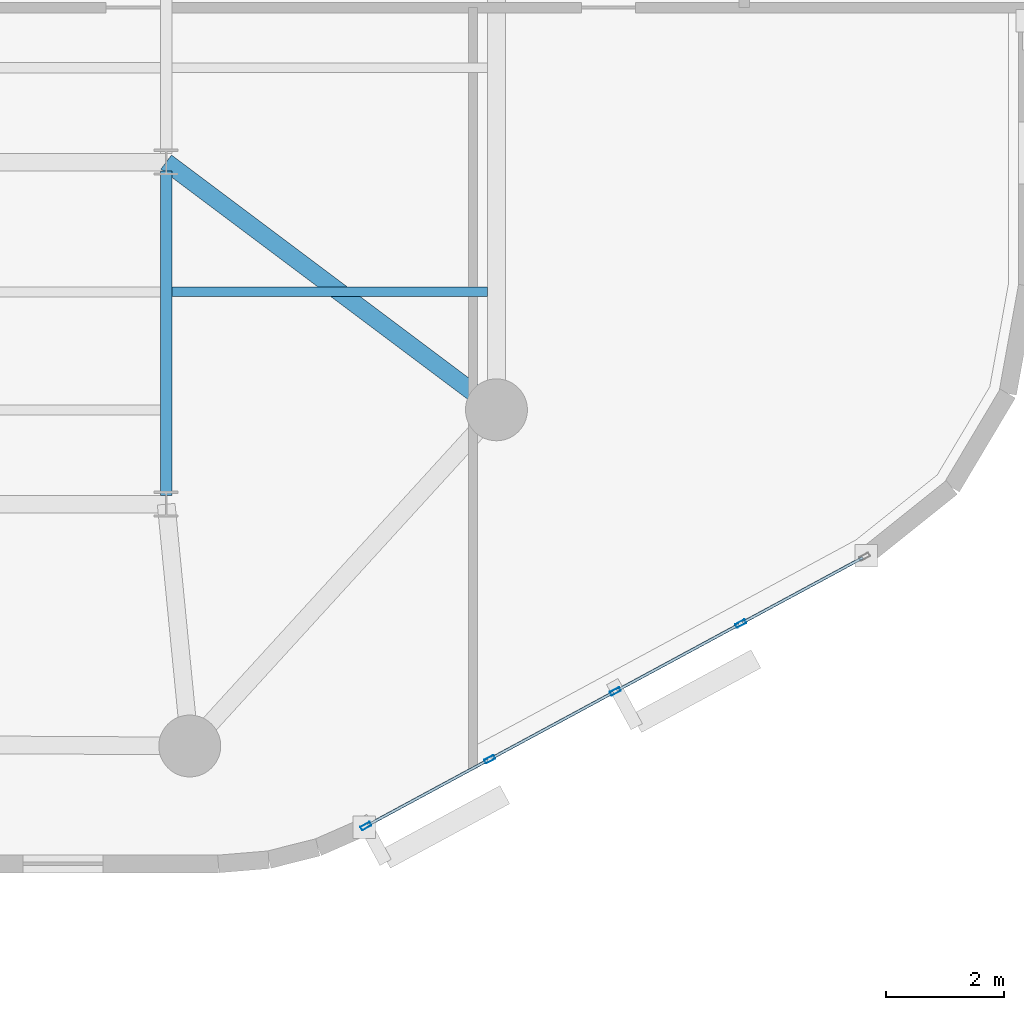
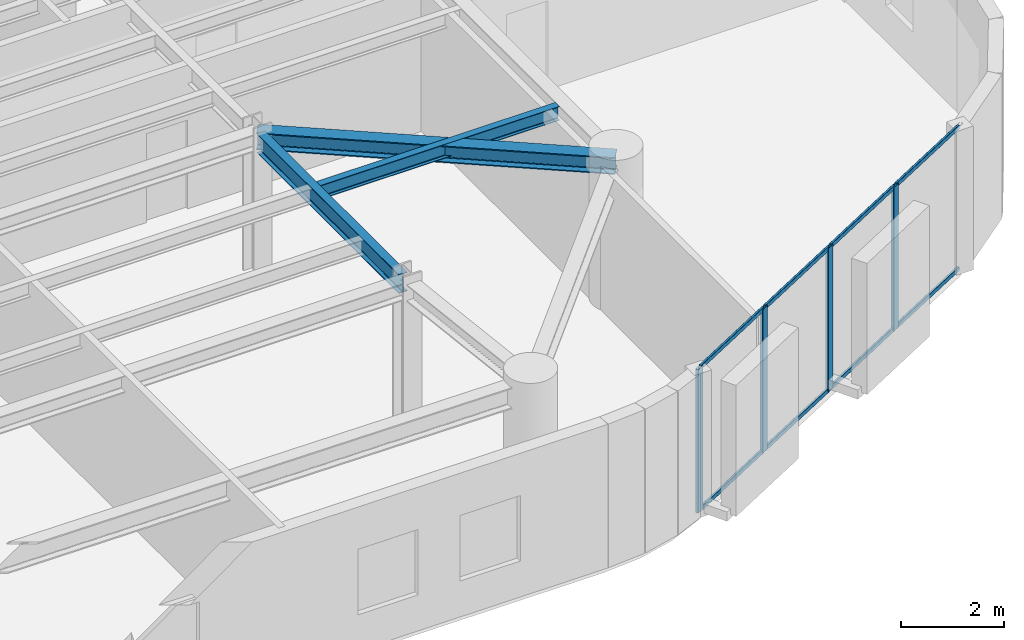
# One storey, part 2 of 15: 12 members, 3 beams, 1 element without a shape of its own.
"""IFC4 building model written with IfcOpenShell, lengths in metres."""

from ifc_helpers import new_model, si_unit, direction, frame, origin, origin_2d, place, context, subcontext, project, spatial, hollow_rectangle, i_section, extrude, material, layer, layer_set, material_profile, profile_set, type_object, element, aggregate, save


model = new_model("IFC4")

# Units and contexts
model_context = context("Model", 3, precision=1e-05, world=origin(), true_north=direction((0.0, 1.0)))
body_context = subcontext(model_context, "Body", "Model", "MODEL_VIEW")
ifc_project = project(units=[si_unit("LENGTHUNIT", "METRE"), si_unit("AREAUNIT", "SQUARE_METRE"), si_unit("VOLUMEUNIT", "CUBIC_METRE"), si_unit("PLANEANGLEUNIT", "RADIAN"), si_unit("MASSUNIT", "GRAM", prefix="KILO")], contexts=[model_context])

# Site, building, storey
site_placement = place(None, origin())
site = spatial("IfcSite", under=ifc_project, at=site_placement, CompositionType="ELEMENT")
building_placement = place(site_placement, origin())
building = spatial("IfcBuilding", under=site, at=building_placement, Name="An Khanh Terracotta Commons", CompositionType="ELEMENT")
storey_placement = place(building_placement, frame((0.0, 0.0, 208.5)))
storey = spatial("IfcBuildingStorey", under=building, at=storey_placement, Name="L54", CompositionType="ELEMENT", Elevation=208.5)

# Beams
ifc_material_1 = material(Name="Steel S355J2", Category="steel")
ifc_material_profile_1 = material_profile(ifc_material_1, i_section(OverallWidth=0.300048828125, OverallDepth=0.39990234375, WebThickness=0.013427734375, FlangeThickness=0.02392578125, FilletRadius=0.027099609375, at=origin_2d()), Name="HEB400")
ifc_profile_set_1 = profile_set([ifc_material_profile_1], Name="Steel S355J2")
beam_type_1 = type_object("IfcBeamType", Name="BM-HEB400", PredefinedType="BEAM", material=ifc_profile_set_1)
beam_1_placement = place(storey_placement, frame((59.60009765625, 16.0, 3.199951171875), z_axis=(-0.800008370399, 0.599988839305, 0.0), x_axis=(-0.599988839305, -0.800008370399, 0.0)))
element("IfcBeam", 1, at=beam_1_placement, inside=storey, type_object=beam_type_1, Name="L54 Mega-Column Tie Girder 3", PredefinedType="BEAM", context=body_context, shape_type="SweptSolid", body=[
    extrude(i_section(OverallWidth=0.300048828125, OverallDepth=0.39990234375, WebThickness=0.013427734375, FlangeThickness=0.02392578125, FilletRadius=0.027099609375, at=origin_2d()), origin(), (0.0, 0.0, 1.0), 7.0),
])
ifc_material_profile_2 = material_profile(ifc_material_1, i_section(OverallWidth=0.159912109375, OverallDepth=0.330078125, WebThickness=0.007568359375, FlangeThickness=0.011474609375, FilletRadius=0.01806640625, at=origin_2d()), Name="IPE330")
ifc_profile_set_2 = profile_set([ifc_material_profile_2], Name="Steel S355J2")
beam_type_2 = type_object("IfcBeamType", Name="BM-IPE330", PredefinedType="JOIST", material=ifc_profile_set_2)
beam_2_placement = place(storey_placement, frame((54.094970703125, 18.0, 3.235107421875), z_axis=(1.0, 0.0, 0.0), x_axis=(0.0, 1.0, 0.0)))
element("IfcBeam", 2, at=beam_2_placement, inside=storey, type_object=beam_type_2, Name="L54 Riverfront Composite Joist 2", PredefinedType="JOIST", context=body_context, shape_type="SweptSolid", body=[
    extrude(i_section(OverallWidth=0.159912109375, OverallDepth=0.330078125, WebThickness=0.007568359375, FlangeThickness=0.011474609375, FilletRadius=0.01806640625, at=origin_2d()), origin(), (0.0, 0.0, 1.0), 5.35498046875),
])
ifc_material_profile_3 = material_profile(ifc_material_1, i_section(OverallWidth=0.18994140625, OverallDepth=0.449951171875, WebThickness=0.009521484375, FlangeThickness=0.0146484375, FilletRadius=0.02099609375, at=origin_2d()), Name="IPE450")
ifc_profile_set_3 = profile_set([ifc_material_profile_3], Name="Steel S355J2")
beam_type_3 = type_object("IfcBeamType", Name="BM-IPE450", PredefinedType="JOIST", material=ifc_profile_set_3)
beam_3_placement = place(storey_placement, frame((54.0, 14.550048828125, 3.175048828125), z_axis=(0.0, 1.0, 0.0), x_axis=(-1.0, 0.0, 0.0)))
element("IfcBeam", 3, at=beam_3_placement, inside=storey, type_object=beam_type_3, Name="L54 East Spine Girder 1", PredefinedType="JOIST", context=body_context, shape_type="SweptSolid", body=[
    extrude(i_section(OverallWidth=0.18994140625, OverallDepth=0.449951171875, WebThickness=0.009521484375, FlangeThickness=0.0146484375, FilletRadius=0.02099609375, at=origin_2d()), origin(), (0.0, 0.0, 1.0), 5.5),
])

# Curtain wall, members
ifc_material_2 = material(Name="Anodised Aluminium 6063-T6", Category="aluminium")
ifc_layer = layer(ifc_material_2, 0.2099609375, Name="Anodised Aluminium 6063-T6")
ifc_layer_set = layer_set([ifc_layer], Name="Anodised Aluminium 6063-T6")
curtain_wall_type = type_object("IfcCurtainWallType", Name="CW-SYS-03", PredefinedType="USERDEFINED", material=ifc_layer_set)
curtain_wall_placement = place(storey_placement, origin())
curtain_wall = element("IfcCurtainWall", 4, at=curtain_wall_placement, inside=storey, type_object=curtain_wall_type, Name="L54 CW-03 Unitised Curtain Wall CW-L54-08", ObjectType="UNITISED CURTAIN WALL", PredefinedType="USERDEFINED")
ifc_material_profile_4 = material_profile(ifc_material_2, hollow_rectangle(XDim=0.070068359375, YDim=0.179931640625, WallThickness=0.00390625, InnerFilletRadius=0.00390625, OuterFilletRadius=0.008056640625, at=origin_2d()), Name="RHS180x70x4")
ifc_profile_set_4 = profile_set([ifc_material_profile_4], Name="Anodised Aluminium 6063-T6")
member_type_1 = type_object("IfcMemberType", Name="CWM-RHS180x70x4", PredefinedType="MULLION", material=ifc_profile_set_4)
member_1_placement = place(storey_placement, frame((57.3876953125, 8.941650390625, 0.0), z_axis=(0.0, 0.0, 1.0), x_axis=(-0.47538088298, 0.879780095306, 0.0)))
member_1 = element("IfcMember", 5, at=member_1_placement, type_object=member_type_1, Name="CW-03 mullion 1", PredefinedType="MULLION", context=body_context, shape_type="SweptSolid", body=[
    extrude(hollow_rectangle(XDim=0.070068359375, YDim=0.179931640625, WallThickness=0.00390625, InnerFilletRadius=0.00390625, OuterFilletRadius=0.008056640625, at=origin_2d()), origin(), (0.0, 0.0, 1.0), 3.39990234375),
])
member_2_placement = place(storey_placement, frame((59.48583984375, 10.0751953125, 0.0), z_axis=(0.0, 0.0, 1.0), x_axis=(-0.47538088298, 0.879780095306, 0.0)))
member_2 = element("IfcMember", 6, at=member_2_placement, type_object=member_type_1, Name="CW-03 mullion 2", PredefinedType="MULLION", context=body_context, shape_type="SweptSolid", body=[
    extrude(hollow_rectangle(XDim=0.070068359375, YDim=0.179931640625, WallThickness=0.00390625, InnerFilletRadius=0.00390625, OuterFilletRadius=0.008056640625, at=origin_2d()), origin(), (0.0, 0.0, 1.0), 3.39990234375),
])
member_3_placement = place(storey_placement, frame((61.614501953125, 11.2255859375, 0.0), z_axis=(0.0, 0.0, 1.0), x_axis=(-0.47538088298, 0.879780095306, 0.0)))
member_3 = element("IfcMember", 7, at=member_3_placement, type_object=member_type_1, Name="CW-03 mullion 3", PredefinedType="MULLION", context=body_context, shape_type="SweptSolid", body=[
    extrude(hollow_rectangle(XDim=0.070068359375, YDim=0.179931640625, WallThickness=0.00390625, InnerFilletRadius=0.00390625, OuterFilletRadius=0.008056640625, at=origin_2d()), origin(), (0.0, 0.0, 1.0), 3.39990234375),
])
member_4_placement = place(storey_placement, frame((63.7431640625, 12.375732421875, 0.0), z_axis=(0.0, 0.0, 1.0), x_axis=(-0.47538088298, 0.879780095306, 0.0)))
member_4 = element("IfcMember", 8, at=member_4_placement, type_object=member_type_1, Name="CW-03 mullion 4", PredefinedType="MULLION", context=body_context, shape_type="SweptSolid", body=[
    extrude(hollow_rectangle(XDim=0.070068359375, YDim=0.179931640625, WallThickness=0.00390625, InnerFilletRadius=0.00390625, OuterFilletRadius=0.008056640625, at=origin_2d()), origin(), (0.0, 0.0, 1.0), 3.39990234375),
])
ifc_material_profile_5 = material_profile(ifc_material_2, hollow_rectangle(XDim=0.050048828125, YDim=0.10009765625, WallThickness=0.003173828125, InnerFilletRadius=0.003173828125, OuterFilletRadius=0.00634765625, at=origin_2d()), Name="RHS100x50x3.2")
ifc_profile_set_5 = profile_set([ifc_material_profile_5], Name="Anodised Aluminium 6063-T6")
member_type_2 = type_object("IfcMemberType", Name="CWT-RHS100x50x3.2", PredefinedType="USERDEFINED", material=ifc_profile_set_5)
member_5_placement = place(storey_placement, frame((57.418701171875, 8.958251953125, 0.02490234375), z_axis=(0.879779245677, 0.475382455373, 0.0), x_axis=(-0.475382455373, 0.879779245677, 0.0)))
member_5 = element("IfcMember", 9, at=member_5_placement, type_object=member_type_2, Name="CW-03 transom 1.1", ObjectType="TRANSOM", PredefinedType="USERDEFINED", context=body_context, shape_type="SweptSolid", body=[
    extrude(hollow_rectangle(XDim=0.050048828125, YDim=0.10009765625, WallThickness=0.003173828125, InnerFilletRadius=0.003173828125, OuterFilletRadius=0.00634765625, at=origin_2d()), origin(), (0.0, 0.0, 1.0), 2.314697265625),
])
member_6_placement = place(storey_placement, frame((57.418701171875, 8.958251953125, 3.375), z_axis=(0.879779245677, 0.475382455373, 0.0), x_axis=(-0.475382455373, 0.879779245677, 0.0)))
member_6 = element("IfcMember", 10, at=member_6_placement, type_object=member_type_2, Name="CW-03 transom 1.2", ObjectType="TRANSOM", PredefinedType="USERDEFINED", context=body_context, shape_type="SweptSolid", body=[
    extrude(hollow_rectangle(XDim=0.050048828125, YDim=0.10009765625, WallThickness=0.003173828125, InnerFilletRadius=0.003173828125, OuterFilletRadius=0.00634765625, at=origin_2d()), origin(), (0.0, 0.0, 1.0), 2.314697265625),
])
member_7_placement = place(storey_placement, frame((59.5166015625, 10.091796875, 0.02490234375), z_axis=(0.879782861449, 0.475375763686, 0.0), x_axis=(-0.475375763686, 0.879782861449, 0.0)))
member_7 = element("IfcMember", 11, at=member_7_placement, type_object=member_type_2, Name="CW-03 transom 2.1", ObjectType="TRANSOM", PredefinedType="USERDEFINED", context=body_context, shape_type="SweptSolid", body=[
    extrude(hollow_rectangle(XDim=0.050048828125, YDim=0.10009765625, WallThickness=0.003173828125, InnerFilletRadius=0.003173828125, OuterFilletRadius=0.00634765625, at=origin_2d()), origin(), (0.0, 0.0, 1.0), 2.349609375),
])
member_8_placement = place(storey_placement, frame((59.5166015625, 10.091796875, 3.375), z_axis=(0.879782861449, 0.475375763686, 0.0), x_axis=(-0.475375763686, 0.879782861449, 0.0)))
member_8 = element("IfcMember", 12, at=member_8_placement, type_object=member_type_2, Name="CW-03 transom 2.2", ObjectType="TRANSOM", PredefinedType="USERDEFINED", context=body_context, shape_type="SweptSolid", body=[
    extrude(hollow_rectangle(XDim=0.050048828125, YDim=0.10009765625, WallThickness=0.003173828125, InnerFilletRadius=0.003173828125, OuterFilletRadius=0.00634765625, at=origin_2d()), origin(), (0.0, 0.0, 1.0), 2.349609375),
])
member_9_placement = place(storey_placement, frame((61.645263671875, 11.2421875, 0.02490234375), z_axis=(0.879782861449, 0.475375763686, 0.0), x_axis=(-0.475375763686, 0.879782861449, 0.0)))
member_9 = element("IfcMember", 13, at=member_9_placement, type_object=member_type_2, Name="CW-03 transom 3.1", ObjectType="TRANSOM", PredefinedType="USERDEFINED", context=body_context, shape_type="SweptSolid", body=[
    extrude(hollow_rectangle(XDim=0.050048828125, YDim=0.10009765625, WallThickness=0.003173828125, InnerFilletRadius=0.003173828125, OuterFilletRadius=0.00634765625, at=origin_2d()), origin(), (0.0, 0.0, 1.0), 2.349609375),
])
member_10_placement = place(storey_placement, frame((61.645263671875, 11.2421875, 3.375), z_axis=(0.879782861449, 0.475375763686, 0.0), x_axis=(-0.475375763686, 0.879782861449, 0.0)))
member_10 = element("IfcMember", 14, at=member_10_placement, type_object=member_type_2, Name="CW-03 transom 3.2", ObjectType="TRANSOM", PredefinedType="USERDEFINED", context=body_context, shape_type="SweptSolid", body=[
    extrude(hollow_rectangle(XDim=0.050048828125, YDim=0.10009765625, WallThickness=0.003173828125, InnerFilletRadius=0.003173828125, OuterFilletRadius=0.00634765625, at=origin_2d()), origin(), (0.0, 0.0, 1.0), 2.349609375),
])
member_11_placement = place(storey_placement, frame((63.77392578125, 12.392333984375, 0.02490234375), z_axis=(0.879779245677, 0.475382455373, 0.0), x_axis=(-0.475382455373, 0.879779245677, 0.0)))
member_11 = element("IfcMember", 15, at=member_11_placement, type_object=member_type_2, Name="CW-03 transom 4.1", ObjectType="TRANSOM", PredefinedType="USERDEFINED", context=body_context, shape_type="SweptSolid", body=[
    extrude(hollow_rectangle(XDim=0.050048828125, YDim=0.10009765625, WallThickness=0.003173828125, InnerFilletRadius=0.003173828125, OuterFilletRadius=0.00634765625, at=origin_2d()), origin(), (0.0, 0.0, 1.0), 2.314697265625),
])
member_12_placement = place(storey_placement, frame((63.77392578125, 12.392333984375, 3.375), z_axis=(0.879779245677, 0.475382455373, 0.0), x_axis=(-0.475382455373, 0.879779245677, 0.0)))
member_12 = element("IfcMember", 16, at=member_12_placement, type_object=member_type_2, Name="CW-03 transom 4.2", ObjectType="TRANSOM", PredefinedType="USERDEFINED", context=body_context, shape_type="SweptSolid", body=[
    extrude(hollow_rectangle(XDim=0.050048828125, YDim=0.10009765625, WallThickness=0.003173828125, InnerFilletRadius=0.003173828125, OuterFilletRadius=0.00634765625, at=origin_2d()), origin(), (0.0, 0.0, 1.0), 2.314697265625),
])
aggregate(curtain_wall, [member_1, member_2, member_3, member_4, member_5, member_6, member_7, member_8, member_9, member_10, member_11, member_12])

save(model, "model.ifc")
